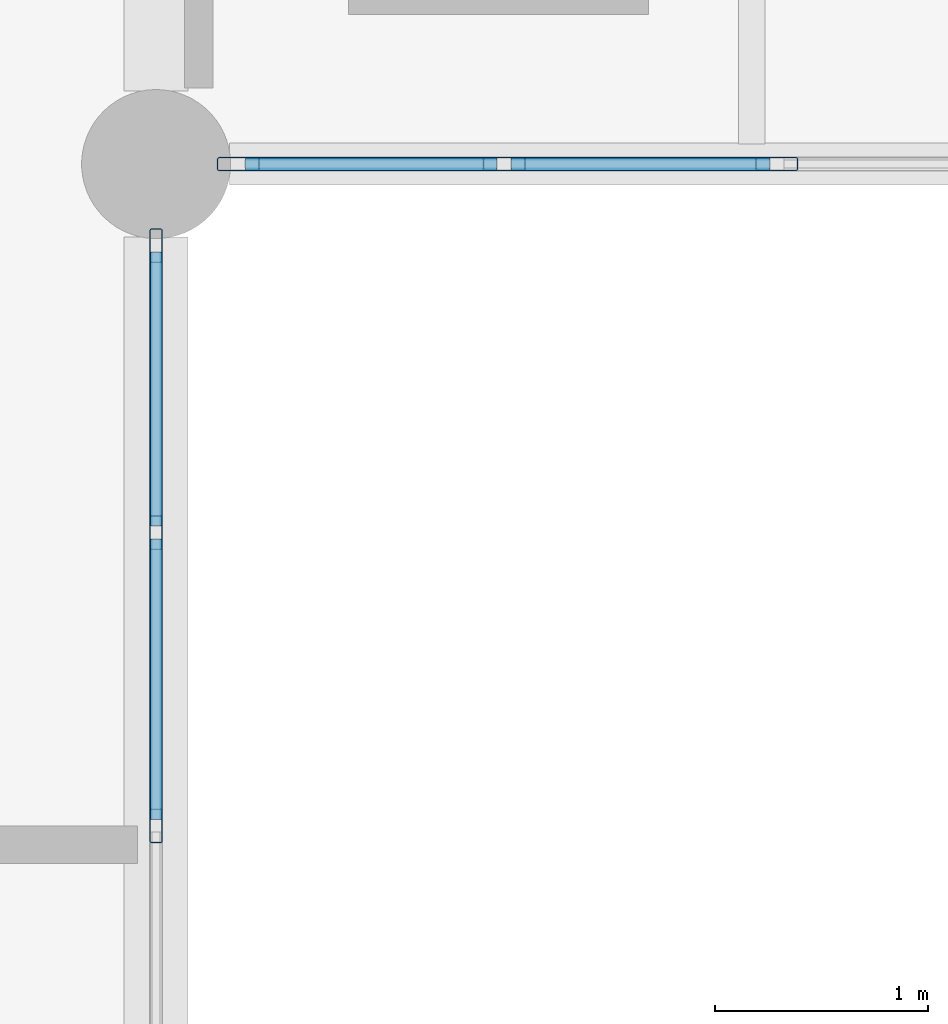
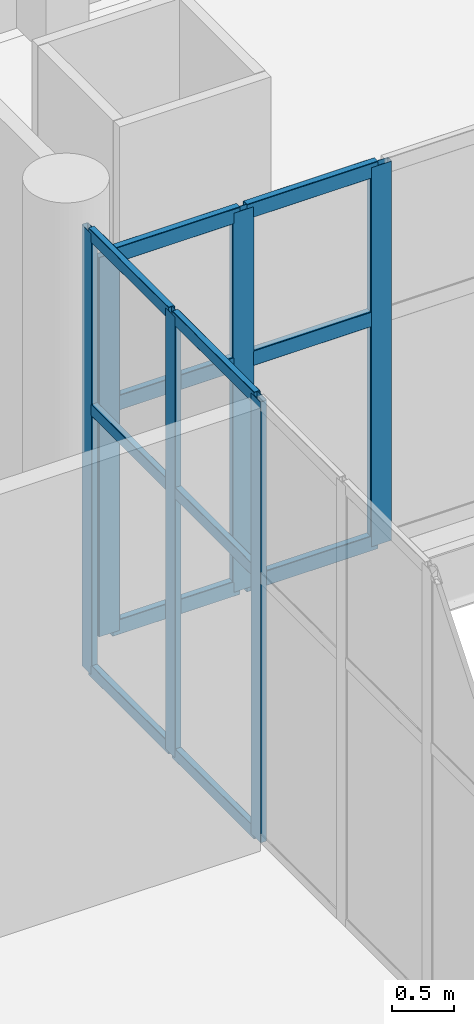
# One storey, part 26 of 74: 18 members, 2 elements without a shape of their own.
"""IFC4 building model written with IfcOpenShell, lengths in metres."""

from ifc_helpers import new_model, si_unit, direction, frame, origin, origin_2d, place, context, subcontext, project, spatial, hollow_rectangle, extrude, material, material_profile, profile_set, type_object, element, aggregate, save


model = new_model("IFC4")

# Units and contexts
model_context = context("Model", 3, precision=1e-05, world=origin(), true_north=direction((0.0, 1.0)))
body_context = subcontext(model_context, "Body", "Model", "MODEL_VIEW")
ifc_project = project(units=[si_unit("LENGTHUNIT", "METRE"), si_unit("AREAUNIT", "SQUARE_METRE"), si_unit("VOLUMEUNIT", "CUBIC_METRE"), si_unit("PLANEANGLEUNIT", "RADIAN"), si_unit("MASSUNIT", "GRAM", prefix="KILO")], contexts=[model_context])

# Site, building, storey
site_placement = place(None, origin())
site = spatial("IfcSite", under=ifc_project, at=site_placement, CompositionType="ELEMENT")
building_placement = place(site_placement, origin())
building = spatial("IfcBuilding", under=site, at=building_placement, Name="Shengluoqiao Park Theatre", CompositionType="ELEMENT")
storey_placement = place(building_placement, frame((0.0, 0.0, 14.60009765625)))
storey = spatial("IfcBuildingStorey", under=building, at=storey_placement, Name="L03", CompositionType="ELEMENT", Elevation=14.60009765625)

# Curtain wall, members
ifc_material = material(Name="Aluminium 6063-T6", Category="aluminium")
curtain_wall_type_1 = type_object("IfcCurtainWallType", Name="ENV-CW-COURT", PredefinedType="NOTDEFINED", material=ifc_material)
curtain_wall_1_placement = place(storey_placement, origin())
curtain_wall_1 = element("IfcCurtainWall", 1, at=curtain_wall_1_placement, inside=storey, type_object=curtain_wall_type_1, Name="L03 Curtain Wall CWX-L03-0219", PredefinedType="NOTDEFINED")
ifc_material_profile_1 = material_profile(ifc_material, hollow_rectangle(XDim=0.06005859375, YDim=0.159912109375, WallThickness=0.00390625, InnerFilletRadius=0.00390625, OuterFilletRadius=0.008056640625, at=origin_2d()), Name="ALU MULLION 160x60x4")
ifc_profile_set_1 = profile_set([ifc_material_profile_1], Name="Aluminium 6063-T6")
member_type_1 = type_object("IfcMemberType", Name="ENV-MUL-160", PredefinedType="MULLION", material=ifc_profile_set_1)
member_1_placement = place(storey_placement, frame((44.39990234375, 65.289306640625, 0.0), z_axis=(0.0, 0.0, 1.0), x_axis=(-1.0, 0.0, 0.0)))
member_1 = element("IfcMember", 2, at=member_1_placement, type_object=member_type_1, Name="CW-05 mullion 4", PredefinedType="MULLION", context=body_context, shape_type="SweptSolid", body=[
    extrude(hollow_rectangle(XDim=0.06005859375, YDim=0.159912109375, WallThickness=0.00390625, InnerFilletRadius=0.00390625, OuterFilletRadius=0.008056640625, at=origin_2d()), origin(), (0.0, 0.0, 1.0), 4.33984375),
])
member_2_placement = place(storey_placement, frame((44.39990234375, 66.66748046875, 0.0), z_axis=(0.0, 0.0, 1.0), x_axis=(-1.0, 0.0, 0.0)))
member_2 = element("IfcMember", 3, at=member_2_placement, type_object=member_type_1, Name="CW-05 mullion 5", PredefinedType="MULLION", context=body_context, shape_type="SweptSolid", body=[
    extrude(hollow_rectangle(XDim=0.06005859375, YDim=0.159912109375, WallThickness=0.00390625, InnerFilletRadius=0.00390625, OuterFilletRadius=0.008056640625, at=origin_2d()), origin(), (0.0, 0.0, 1.0), 4.33984375),
])
member_3_placement = place(storey_placement, frame((44.39990234375, 68.01611328125, 0.0), z_axis=(0.0, 0.0, 1.0), x_axis=(-1.0, 0.0, 0.0)))
member_3 = element("IfcMember", 4, at=member_3_placement, type_object=member_type_1, Name="CW-05 mullion 6", PredefinedType="MULLION", context=body_context, shape_type="SweptSolid", body=[
    extrude(hollow_rectangle(XDim=0.06005859375, YDim=0.159912109375, WallThickness=0.00390625, InnerFilletRadius=0.00390625, OuterFilletRadius=0.008056640625, at=origin_2d()), origin(), (0.0, 0.0, 1.0), 4.33984375),
])

curtain_wall_type_2 = type_object("IfcCurtainWallType", Name="ENV-CW-PROM", PredefinedType="NOTDEFINED", material=ifc_material)
curtain_wall_2_placement = place(storey_placement, origin())
curtain_wall_2 = element("IfcCurtainWall", 5, at=curtain_wall_2_placement, inside=storey, type_object=curtain_wall_type_2, Name="L03 Curtain Wall CW-L03-0081", PredefinedType="NOTDEFINED")
ifc_material_profile_2 = material_profile(ifc_material, hollow_rectangle(XDim=0.06494140625, YDim=0.199951171875, WallThickness=0.0048828125, InnerFilletRadius=0.0048828125, OuterFilletRadius=0.010009765625, at=origin_2d()), Name="ALU MULLION 200x65x5")
ifc_profile_set_2 = profile_set([ifc_material_profile_2], Name="Aluminium 6063-T6")
member_type_2 = type_object("IfcMemberType", Name="ENV-MUL-200", PredefinedType="MULLION", material=ifc_profile_set_2)
member_4_placement = place(storey_placement, frame((44.78662109375, 68.39990234375, 0.0), z_axis=(0.0, 0.0, 1.0), x_axis=(0.0, 1.0, 0.0)))
member_4 = element("IfcMember", 6, at=member_4_placement, type_object=member_type_2, Name="CW-04 mullion 1", PredefinedType="MULLION", context=body_context, shape_type="SweptSolid", body=[
    extrude(hollow_rectangle(XDim=0.06494140625, YDim=0.199951171875, WallThickness=0.0048828125, InnerFilletRadius=0.0048828125, OuterFilletRadius=0.010009765625, at=origin_2d()), origin(), (0.0, 0.0, 1.0), 3.73193359375),
])
member_5_placement = place(storey_placement, frame((46.035888671875, 68.39990234375, 0.0), z_axis=(0.0, 0.0, 1.0), x_axis=(0.0, 1.0, 0.0)))
member_5 = element("IfcMember", 7, at=member_5_placement, type_object=member_type_2, Name="CW-04 mullion 2", PredefinedType="MULLION", context=body_context, shape_type="SweptSolid", body=[
    extrude(hollow_rectangle(XDim=0.06494140625, YDim=0.199951171875, WallThickness=0.0048828125, InnerFilletRadius=0.0048828125, OuterFilletRadius=0.010009765625, at=origin_2d()), origin(), (0.0, 0.0, 1.0), 3.73193359375),
])
member_6_placement = place(storey_placement, frame((47.318115234375, 68.39990234375, 0.0), z_axis=(0.0, 0.0, 1.0), x_axis=(0.0, 1.0, 0.0)))
member_6 = element("IfcMember", 8, at=member_6_placement, type_object=member_type_2, Name="CW-04 mullion 3", PredefinedType="MULLION", context=body_context, shape_type="SweptSolid", body=[
    extrude(hollow_rectangle(XDim=0.06494140625, YDim=0.199951171875, WallThickness=0.0048828125, InnerFilletRadius=0.0048828125, OuterFilletRadius=0.010009765625, at=origin_2d()), origin(), (0.0, 0.0, 1.0), 3.73193359375),
])

# Member
ifc_material_profile_3 = material_profile(ifc_material, hollow_rectangle(XDim=0.06005859375, YDim=0.1201171875, WallThickness=0.00390625, InnerFilletRadius=0.00390625, OuterFilletRadius=0.008056640625, at=origin_2d()), Name="ALU TRANSOM 120x60x4")
ifc_profile_set_3 = profile_set([ifc_material_profile_3], Name="Aluminium 6063-T6")
member_type_3 = type_object("IfcMemberType", Name="ENV-TRN-120", PredefinedType="USERDEFINED", material=ifc_profile_set_3)
member_7_placement = place(storey_placement, frame((44.39990234375, 65.319091796875, 0.02978515625), z_axis=(0.0, 1.0, 0.0), x_axis=(-1.0, 0.0, 0.0)))
member_7 = element("IfcMember", 9, at=member_7_placement, type_object=member_type_3, Name="CW-05 transom 4.1", ObjectType="TRANSOM", PredefinedType="USERDEFINED", context=body_context, shape_type="SweptSolid", body=[
    extrude(hollow_rectangle(XDim=0.06005859375, YDim=0.1201171875, WallThickness=0.00390625, InnerFilletRadius=0.00390625, OuterFilletRadius=0.008056640625, at=origin_2d()), origin(), (0.0, 0.0, 1.0), 1.318603515625),
])

member_8_placement = place(storey_placement, frame((44.39990234375, 65.319091796875, 2.60400390625), z_axis=(0.0, 1.0, 0.0), x_axis=(-1.0, 0.0, 0.0)))
member_8 = element("IfcMember", 10, at=member_8_placement, type_object=member_type_3, Name="CW-05 transom 4.2", ObjectType="TRANSOM", PredefinedType="USERDEFINED", context=body_context, shape_type="SweptSolid", body=[
    extrude(hollow_rectangle(XDim=0.06005859375, YDim=0.1201171875, WallThickness=0.00390625, InnerFilletRadius=0.00390625, OuterFilletRadius=0.008056640625, at=origin_2d()), origin(), (0.0, 0.0, 1.0), 1.318603515625),
])

member_9_placement = place(storey_placement, frame((44.39990234375, 65.319091796875, 4.309814453125), z_axis=(0.0, 1.0, 0.0), x_axis=(-1.0, 0.0, 0.0)))
member_9 = element("IfcMember", 11, at=member_9_placement, type_object=member_type_3, Name="CW-05 transom 4.3", ObjectType="TRANSOM", PredefinedType="USERDEFINED", context=body_context, shape_type="SweptSolid", body=[
    extrude(hollow_rectangle(XDim=0.06005859375, YDim=0.1201171875, WallThickness=0.00390625, InnerFilletRadius=0.00390625, OuterFilletRadius=0.008056640625, at=origin_2d()), origin(), (0.0, 0.0, 1.0), 1.318603515625),
])

member_10_placement = place(storey_placement, frame((44.39990234375, 66.697509765625, 0.02978515625), z_axis=(0.0, 1.0, 0.0), x_axis=(-1.0, 0.0, 0.0)))
member_10 = element("IfcMember", 12, at=member_10_placement, type_object=member_type_3, Name="CW-05 transom 5.1", ObjectType="TRANSOM", PredefinedType="USERDEFINED", context=body_context, shape_type="SweptSolid", body=[
    extrude(hollow_rectangle(XDim=0.06005859375, YDim=0.1201171875, WallThickness=0.00390625, InnerFilletRadius=0.00390625, OuterFilletRadius=0.008056640625, at=origin_2d()), origin(), (0.0, 0.0, 1.0), 1.28857421875),
])

member_11_placement = place(storey_placement, frame((44.39990234375, 66.697509765625, 2.60400390625), z_axis=(0.0, 1.0, 0.0), x_axis=(-1.0, 0.0, 0.0)))
member_11 = element("IfcMember", 13, at=member_11_placement, type_object=member_type_3, Name="CW-05 transom 5.2", ObjectType="TRANSOM", PredefinedType="USERDEFINED", context=body_context, shape_type="SweptSolid", body=[
    extrude(hollow_rectangle(XDim=0.06005859375, YDim=0.1201171875, WallThickness=0.00390625, InnerFilletRadius=0.00390625, OuterFilletRadius=0.008056640625, at=origin_2d()), origin(), (0.0, 0.0, 1.0), 1.28857421875),
])

member_12_placement = place(storey_placement, frame((44.39990234375, 66.697509765625, 4.309814453125), z_axis=(0.0, 1.0, 0.0), x_axis=(-1.0, 0.0, 0.0)))
member_12 = element("IfcMember", 14, at=member_12_placement, type_object=member_type_3, Name="CW-05 transom 5.3", ObjectType="TRANSOM", PredefinedType="USERDEFINED", context=body_context, shape_type="SweptSolid", body=[
    extrude(hollow_rectangle(XDim=0.06005859375, YDim=0.1201171875, WallThickness=0.00390625, InnerFilletRadius=0.00390625, OuterFilletRadius=0.008056640625, at=origin_2d()), origin(), (0.0, 0.0, 1.0), 1.28857421875),
])

aggregate(curtain_wall_1, [member_1, member_2, member_3, member_7, member_8, member_9, member_10, member_11, member_12])

ifc_material_profile_4 = material_profile(ifc_material, hollow_rectangle(XDim=0.06494140625, YDim=0.14990234375, WallThickness=0.00390625, InnerFilletRadius=0.00390625, OuterFilletRadius=0.008056640625, at=origin_2d()), Name="ALU TRANSOM 150x65x4")
ifc_profile_set_4 = profile_set([ifc_material_profile_4], Name="Aluminium 6063-T6")
member_type_4 = type_object("IfcMemberType", Name="ENV-TRN-150", PredefinedType="USERDEFINED", material=ifc_profile_set_4)
member_13_placement = place(storey_placement, frame((44.819091796875, 68.39990234375, 0.032470703125), z_axis=(1.0, 0.0, 0.0), x_axis=(0.0, 1.0, 0.0)))
member_13 = element("IfcMember", 15, at=member_13_placement, type_object=member_type_4, Name="CW-04 transom 1.1", ObjectType="TRANSOM", PredefinedType="USERDEFINED", context=body_context, shape_type="SweptSolid", body=[
    extrude(hollow_rectangle(XDim=0.06494140625, YDim=0.14990234375, WallThickness=0.00390625, InnerFilletRadius=0.00390625, OuterFilletRadius=0.008056640625, at=origin_2d()), origin(), (0.0, 0.0, 1.0), 1.184326171875),
])

member_14_placement = place(storey_placement, frame((44.819091796875, 68.39990234375, 2.239013671875), z_axis=(1.0, 0.0, 0.0), x_axis=(0.0, 1.0, 0.0)))
member_14 = element("IfcMember", 16, at=member_14_placement, type_object=member_type_4, Name="CW-04 transom 1.2", ObjectType="TRANSOM", PredefinedType="USERDEFINED", context=body_context, shape_type="SweptSolid", body=[
    extrude(hollow_rectangle(XDim=0.06494140625, YDim=0.14990234375, WallThickness=0.00390625, InnerFilletRadius=0.00390625, OuterFilletRadius=0.008056640625, at=origin_2d()), origin(), (0.0, 0.0, 1.0), 1.184326171875),
])

member_15_placement = place(storey_placement, frame((44.819091796875, 68.39990234375, 3.699462890625), z_axis=(1.0, 0.0, 0.0), x_axis=(0.0, 1.0, 0.0)))
member_15 = element("IfcMember", 17, at=member_15_placement, type_object=member_type_4, Name="CW-04 transom 1.3", ObjectType="TRANSOM", PredefinedType="USERDEFINED", context=body_context, shape_type="SweptSolid", body=[
    extrude(hollow_rectangle(XDim=0.06494140625, YDim=0.14990234375, WallThickness=0.00390625, InnerFilletRadius=0.00390625, OuterFilletRadius=0.008056640625, at=origin_2d()), origin(), (0.0, 0.0, 1.0), 1.184326171875),
])

member_16_placement = place(storey_placement, frame((46.068603515625, 68.39990234375, 0.032470703125), z_axis=(1.0, 0.0, 0.0), x_axis=(0.0, 1.0, 0.0)))
member_16 = element("IfcMember", 18, at=member_16_placement, type_object=member_type_4, Name="CW-04 transom 2.1", ObjectType="TRANSOM", PredefinedType="USERDEFINED", context=body_context, shape_type="SweptSolid", body=[
    extrude(hollow_rectangle(XDim=0.06494140625, YDim=0.14990234375, WallThickness=0.00390625, InnerFilletRadius=0.00390625, OuterFilletRadius=0.008056640625, at=origin_2d()), origin(), (0.0, 0.0, 1.0), 1.216796875),
])

member_17_placement = place(storey_placement, frame((46.068603515625, 68.39990234375, 2.239013671875), z_axis=(1.0, 0.0, 0.0), x_axis=(0.0, 1.0, 0.0)))
member_17 = element("IfcMember", 19, at=member_17_placement, type_object=member_type_4, Name="CW-04 transom 2.2", ObjectType="TRANSOM", PredefinedType="USERDEFINED", context=body_context, shape_type="SweptSolid", body=[
    extrude(hollow_rectangle(XDim=0.06494140625, YDim=0.14990234375, WallThickness=0.00390625, InnerFilletRadius=0.00390625, OuterFilletRadius=0.008056640625, at=origin_2d()), origin(), (0.0, 0.0, 1.0), 1.216796875),
])

member_18_placement = place(storey_placement, frame((46.068603515625, 68.39990234375, 3.699462890625), z_axis=(1.0, 0.0, 0.0), x_axis=(0.0, 1.0, 0.0)))
member_18 = element("IfcMember", 20, at=member_18_placement, type_object=member_type_4, Name="CW-04 transom 2.3", ObjectType="TRANSOM", PredefinedType="USERDEFINED", context=body_context, shape_type="SweptSolid", body=[
    extrude(hollow_rectangle(XDim=0.06494140625, YDim=0.14990234375, WallThickness=0.00390625, InnerFilletRadius=0.00390625, OuterFilletRadius=0.008056640625, at=origin_2d()), origin(), (0.0, 0.0, 1.0), 1.216796875),
])

aggregate(curtain_wall_2, [member_4, member_5, member_6, member_13, member_14, member_15, member_16, member_17, member_18])

save(model, "model.ifc")
